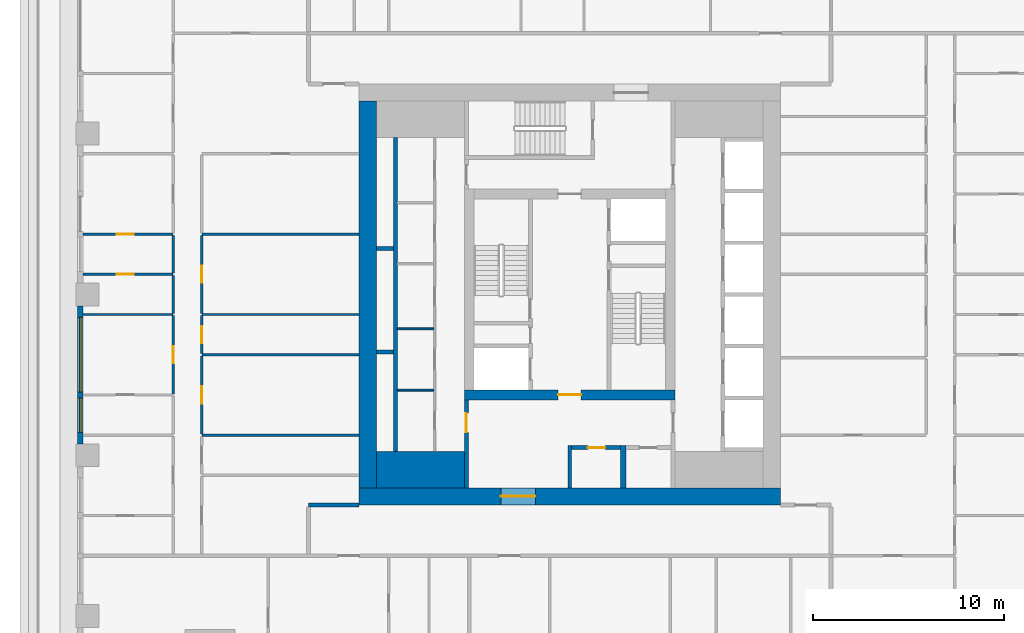
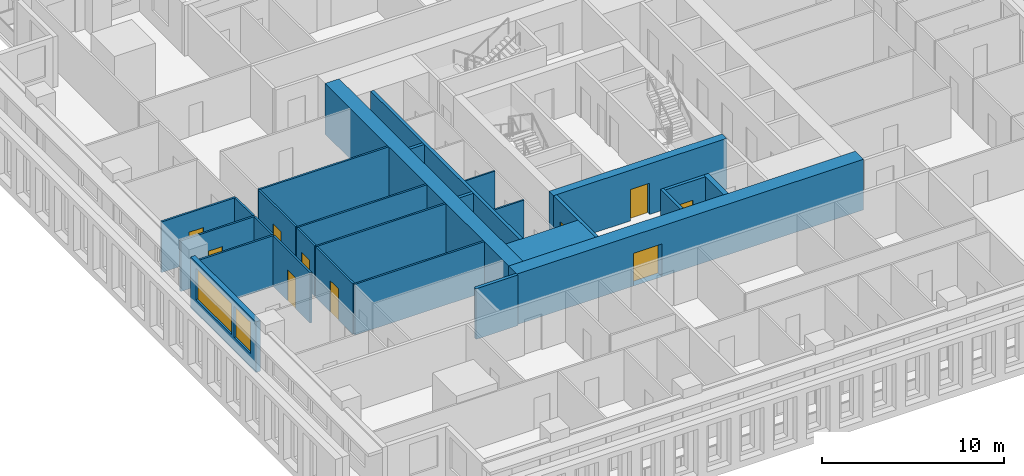
# One storey, part 3 of 16: 28 walls, 10 doors, 2 windows, 12 openings.
"""IFC4 building model written with IfcOpenShell, lengths in metres."""

from ifc_helpers import new_model, si_unit, direction, frame, frame_2d, origin, place, context, subcontext, project, spatial, rectangle, extrude, material, layer, layer_set, type_object, element, fill, save


model = new_model("IFC4")

# Units and contexts
model_context = context("Model", 3, precision=1e-05, world=origin(), true_north=direction((0.0, 1.0)))
body_context = subcontext(model_context, "Body", "Model", "MODEL_VIEW")
ifc_project = project(units=[si_unit("LENGTHUNIT", "METRE"), si_unit("AREAUNIT", "SQUARE_METRE"), si_unit("VOLUMEUNIT", "CUBIC_METRE"), si_unit("PLANEANGLEUNIT", "RADIAN"), si_unit("MASSUNIT", "GRAM", prefix="KILO")], contexts=[model_context])

# Site, building, storey
site_placement = place(None, origin())
site = spatial("IfcSite", under=ifc_project, at=site_placement, CompositionType="ELEMENT")
building_placement = place(site_placement, origin())
building = spatial("IfcBuilding", under=site, at=building_placement, Name="Khepri Terraces", CompositionType="ELEMENT")
storey_placement = place(building_placement, frame((0.0, 0.0, 176.699951171875)))
storey = spatial("IfcBuildingStorey", under=building, at=storey_placement, Name="L42", CompositionType="ELEMENT", Elevation=176.699951171875)

# Walls
ifc_material_1 = material(Name="Concrete C60/75", Category="concrete")
ifc_layer_1 = layer(ifc_material_1, 1.89990234375, Name="Concrete C60/75", Category="concrete")
ifc_layer_set_1 = layer_set([ifc_layer_1], Name="Concrete C60/75")
wall_type_1 = type_object("IfcWallType", Name="Core wall 1900 C60/75", PredefinedType="SHEAR", material=ifc_layer_set_1)
wall_1_placement = place(storey_placement, frame((-10.10009765625, -9.14990234375, 0.0), z_axis=(0.0, 0.0, 1.0), x_axis=(1.0, 0.0, 0.0)))
element("IfcWall", 1, at=wall_1_placement, inside=storey, type_object=wall_type_1, Name="Core wall PR01 L42", PredefinedType="SHEAR", context=body_context, shape_type="SweptSolid", body=[
    extrude(rectangle(XDim=4.60009765625, YDim=1.89990234375, at=frame_2d((2.300048828125, 0.0))), origin(), (0.0, 0.0, 1.0), 3.400146484375),
])
ifc_layer_2 = layer(ifc_material_1, 0.199951171875, Name="Concrete C60/75", Category="concrete")
ifc_layer_set_2 = layer_set([ifc_layer_2], Name="Concrete C60/75")
wall_type_2 = type_object("IfcWallType", Name="Core wall 200 C60/75", PredefinedType="SHEAR", material=ifc_layer_set_2)
wall_2_placement = place(storey_placement, frame((-9.10009765625, -8.199951171875, 0.0), z_axis=(0.0, 0.0, 1.0), x_axis=(0.0, 1.0, 0.0)))
element("IfcWall", 2, at=wall_2_placement, inside=storey, type_object=wall_type_2, Name="Core wall SH01 L42", PredefinedType="SHEAR", context=body_context, shape_type="SweptSolid", body=[
    extrude(rectangle(XDim=16.39990234375, YDim=0.199951171875, at=frame_2d((8.199951171875, 0.0))), origin(), (0.0, 0.0, 1.0), 3.400146484375),
])
for number, where, z_axis, x_axis, name in (
    (3, (-10.10009765625, -3.0, 0.0), (0.0, 0.0, 1.0), (1.0, 0.0, 0.0), "Core wall SH06 L42"),
    (4, (-10.10009765625, 2.39990234375, 0.0), (0.0, 0.0, 1.0), (1.0, 0.0, 0.0), "Core wall SH11 L42"),
):
    element("IfcWall", number, at=place(storey_placement, frame(where, z_axis=z_axis, x_axis=x_axis)), inside=storey, type_object=wall_type_2, Name=name, PredefinedType="SHEAR", context=body_context, shape_type="SweptSolid", body=[
        extrude(rectangle(XDim=0.900146484375, YDim=0.199951171875, at=frame_2d((0.4501953125, 0.0))), origin(), (0.0, 0.0, 1.0), 3.400146484375),
    ])

# Wall, opening, door
ifc_layer_3 = layer(ifc_material_1, 0.5, Name="Concrete C60/75", Category="concrete")
ifc_layer_set_3 = layer_set([ifc_layer_3], Name="Concrete C60/75")
wall_type_3 = type_object("IfcWallType", Name="Core wall 500 C60/75", PredefinedType="SHEAR", material=ifc_layer_set_3)
wall_3_placement = place(storey_placement, frame((-5.5, -5.25, 0.0), z_axis=(0.0, 0.0, 1.0), x_axis=(1.0, 0.0, 0.0)))
wall_3 = element("IfcWall", 5, at=wall_3_placement, inside=storey, type_object=wall_type_3, Name="Core wall BX01 L42", PredefinedType="SHEAR", context=body_context, shape_type="SweptSolid", body=[
    extrude(rectangle(XDim=11.0, YDim=0.5, at=frame_2d((5.5, 0.0))), origin(), (0.0, 0.0, 1.0), 3.400146484375),
])
opening_1_placement = place(wall_3_placement, frame((4.89990234375, 0.0, 0.0)))
opening_1 = element("IfcOpeningElement", 6, at=opening_1_placement, cuts=wall_3, Name="Opening L42-C14", PredefinedType="OPENING", context=body_context, shape_type="SweptSolid", body=[
    extrude(rectangle(XDim=1.199951171875, YDim=2.10009765625, at=frame_2d((0.60009765625, 1.050048828125))), frame((0.0, 0.260009765625, 0.0), z_axis=(0.0, -1.0, 0.0), x_axis=(1.0, 0.0, 0.0)), (0.0, 0.0, 1.0), 0.52001953125),
])
ifc_material_2 = material(Name="Painted steel", Category="steel")
door_type_1 = type_object("IfcDoorType", Name="DR-CORE-FF-LOBBY-1200", OperationType="NOTDEFINED", PredefinedType="DOOR", material=ifc_material_2)
door_1_placement = place(opening_1_placement, origin())
door_1 = element("IfcDoor", 7, at=door_1_placement, inside=storey, type_object=door_type_1, Name="Firefighting lobby door L42-C14", OperationType="SINGLE_SWING_RIGHT", OverallHeight=2.10009765625, OverallWidth=1.199951171875, PredefinedType="DOOR", context=body_context, shape_type="SweptSolid", body=[
    extrude(rectangle(XDim=1.199951171875, YDim=2.10009765625, at=frame_2d((0.60009765625, 1.050048828125))), frame((0.0, 0.02490234375, 0.0), z_axis=(0.0, -1.0, 0.0), x_axis=(1.0, 0.0, 0.0)), (0.0, 0.0, 1.0), 0.050048828125),
])
fill(opening_1, door_1)

ifc_layer_4 = layer(ifc_material_1, 0.89990234375, Name="Concrete C60/75", Category="concrete")
ifc_layer_set_4 = layer_set([ifc_layer_4], Name="Concrete C60/75")
wall_type_4 = type_object("IfcWallType", Name="Core wall 900 C60/75", PredefinedType="SHEAR", material=ifc_layer_set_4)
wall_4_placement = place(storey_placement, frame((-11.0, -10.550048828125, 0.0), z_axis=(0.0, 0.0, 1.0), x_axis=(1.0, 0.0, 0.0)))
wall_4 = element("IfcWall", 8, at=wall_4_placement, inside=storey, type_object=wall_type_4, Name="Core wall OW-S L42", PredefinedType="SHEAR", context=body_context, shape_type="SweptSolid", body=[
    extrude(rectangle(XDim=22.0, YDim=0.89990234375, at=frame_2d((11.0, 0.0))), origin(), (0.0, 0.0, 1.0), 3.400146484375),
])
opening_2_placement = place(wall_4_placement, frame((7.39990234375, 0.0, 0.0)))
opening_2 = element("IfcOpeningElement", 9, at=opening_2_placement, cuts=wall_4, Name="Opening L42-C21", PredefinedType="OPENING", context=body_context, shape_type="SweptSolid", body=[
    extrude(rectangle(XDim=1.800048828125, YDim=2.199951171875, at=frame_2d((0.89990234375, 1.10009765625))), frame((0.0, 0.4599609375, 0.0), z_axis=(0.0, -1.0, 0.0), x_axis=(1.0, 0.0, 0.0)), (0.0, 0.0, 1.0), 0.919921875),
])
door_type_2 = type_object("IfcDoorType", Name="DR-CORE-ENTRANCE-1800", OperationType="NOTDEFINED", PredefinedType="DOOR", material=ifc_material_2)
door_2_placement = place(opening_2_placement, frame((1.800048828125, 0.0, 0.0), z_axis=(0.0, 0.0, 1.0), x_axis=(-1.0, 0.0, 0.0)))
door_2 = element("IfcDoor", 10, at=door_2_placement, inside=storey, type_object=door_type_2, Name="Core entrance door pair L42-C21", OperationType="DOUBLE_DOOR_SINGLE_SWING", OverallHeight=2.199951171875, OverallWidth=1.800048828125, PredefinedType="DOOR", context=body_context, shape_type="SweptSolid", body=[
    extrude(rectangle(XDim=1.800048828125, YDim=2.199951171875, at=frame_2d((0.89990234375, 1.10009765625))), frame((0.0, 0.02490234375, 0.0), z_axis=(0.0, -1.0, 0.0), x_axis=(1.0, 0.0, 0.0)), (0.0, 0.0, 1.0), 0.050048828125),
])
fill(opening_2, door_2)

# Walls
wall_5_placement = place(storey_placement, frame((-10.550048828125, -10.10009765625, 0.0), z_axis=(0.0, 0.0, 1.0), x_axis=(0.0, 1.0, 0.0)))
element("IfcWall", 11, at=wall_5_placement, inside=storey, type_object=wall_type_4, Name="Core wall OW-W L42", PredefinedType="SHEAR", context=body_context, shape_type="SweptSolid", body=[
    extrude(rectangle(XDim=20.2001953125, YDim=0.89990234375, at=frame_2d((10.10009765625, 0.0))), origin(), (0.0, 0.0, 1.0), 3.400146484375),
])
ifc_material_3 = material(Name="Fire-rated gypsum board partition")
ifc_layer_5 = layer(ifc_material_3, 0.10009765625, Name="Fire-rated gypsum board partition")
ifc_layer_set_5 = layer_set([ifc_layer_5], Name="Fire-rated gypsum board partition")
wall_type_5 = type_object("IfcWallType", Name="WL-CORE-PART-100", PredefinedType="PARTITIONING", material=ifc_layer_set_5)
for number, where, z_axis, x_axis, name in (
    (12, (-9.0, -5.0, 0.0), (0.0, 0.0, 1.0), (1.0, 0.0, 0.0), "Core partition PT08 L42"),
    (13, (-9.0, -1.800048828125, 0.0), (0.0, 0.0, 1.0), (1.0, 0.0, 0.0), "Core partition PT09 L42"),
):
    element("IfcWall", number, at=place(storey_placement, frame(where, z_axis=z_axis, x_axis=x_axis)), inside=storey, type_object=wall_type_5, Name=name, PredefinedType="PARTITIONING", context=body_context, shape_type="SweptSolid", body=[
        extrude(rectangle(XDim=1.89990234375, YDim=0.10009765625, at=frame_2d((0.949951171875, 0.0))), origin(), (0.0, 0.0, 1.0), 3.400146484375),
    ])

# Wall, opening, door
ifc_layer_6 = layer(ifc_material_3, 0.199951171875, Name="Fire-rated gypsum board partition")
ifc_layer_set_6 = layer_set([ifc_layer_6], Name="Fire-rated gypsum board partition")
wall_type_6 = type_object("IfcWallType", Name="WL-CORE-PART-200", PredefinedType="PARTITIONING", material=ifc_layer_set_6)
wall_6_placement = place(storey_placement, frame((-5.39990234375, -10.10009765625, 0.0), z_axis=(0.0, 0.0, 1.0), x_axis=(0.0, 1.0, 0.0)))
wall_6 = element("IfcWall", 14, at=wall_6_placement, inside=storey, type_object=wall_type_6, Name="Core partition PT01 L42", PredefinedType="PARTITIONING", context=body_context, shape_type="SweptSolid", body=[
    extrude(rectangle(XDim=4.60009765625, YDim=0.199951171875, at=frame_2d((2.300048828125, 0.0))), origin(), (0.0, 0.0, 1.0), 3.400146484375),
])
opening_3_placement = place(wall_6_placement, frame((2.89990234375, 0.0, 0.0)))
opening_3 = element("IfcOpeningElement", 15, at=opening_3_placement, cuts=wall_6, Name="Opening L42-C18", PredefinedType="OPENING", context=body_context, shape_type="SweptSolid", body=[
    extrude(rectangle(XDim=1.0, YDim=2.10009765625, at=frame_2d((0.5, 1.050048828125))), frame((0.0, 0.10986328125, 0.0), z_axis=(0.0, -1.0, 0.0), x_axis=(1.0, 0.0, 0.0)), (0.0, 0.0, 1.0), 0.219970703125),
])
door_type_3 = type_object("IfcDoorType", Name="DR-CORE-LOBBY-1000", OperationType="NOTDEFINED", PredefinedType="DOOR", material=ifc_material_2)
door_3_placement = place(opening_3_placement, frame((1.0, 0.0, 0.0), z_axis=(0.0, 0.0, 1.0), x_axis=(-1.0, 0.0, 0.0)))
door_3 = element("IfcDoor", 16, at=door_3_placement, inside=storey, type_object=door_type_3, Name="Lobby door L42-C18", OperationType="SINGLE_SWING_LEFT", OverallHeight=2.10009765625, OverallWidth=1.0, PredefinedType="DOOR", context=body_context, shape_type="SweptSolid", body=[
    extrude(rectangle(XDim=1.0, YDim=2.10009765625, at=frame_2d((0.5, 1.050048828125))), frame((0.0, 0.02490234375, 0.0), z_axis=(0.0, -1.0, 0.0), x_axis=(1.0, 0.0, 0.0)), (0.0, 0.0, 1.0), 0.050048828125),
])
fill(opening_3, door_3)

# Wall
wall_7_placement = place(storey_placement, frame((0.0, -10.10009765625, 0.0), z_axis=(0.0, 0.0, 1.0), x_axis=(0.0, 1.0, 0.0)))
element("IfcWall", 17, at=wall_7_placement, inside=storey, type_object=wall_type_6, Name="Core partition PT02 L42", PredefinedType="PARTITIONING", context=body_context, shape_type="SweptSolid", body=[
    extrude(rectangle(XDim=2.2001953125, YDim=0.199951171875, at=frame_2d((1.10009765625, 0.0))), origin(), (0.0, 0.0, 1.0), 3.400146484375),
])

# Wall, opening, door
wall_8_placement = place(storey_placement, frame((0.10009765625, -8.0, 0.0), z_axis=(0.0, 0.0, 1.0), x_axis=(1.0, 0.0, 0.0)))
wall_8 = element("IfcWall", 18, at=wall_8_placement, inside=storey, type_object=wall_type_6, Name="Core partition PT06 L42", PredefinedType="PARTITIONING", context=body_context, shape_type="SweptSolid", body=[
    extrude(rectangle(XDim=2.5498046875, YDim=0.199951171875, at=frame_2d((1.27490234375, 0.0))), origin(), (0.0, 0.0, 1.0), 3.400146484375),
])
opening_4_placement = place(wall_8_placement, frame((0.85009765625, 0.0, 0.0)))
opening_4 = element("IfcOpeningElement", 19, at=opening_4_placement, cuts=wall_8, Name="Opening L42-C22", PredefinedType="OPENING", context=body_context, shape_type="SweptSolid", body=[
    extrude(rectangle(XDim=0.89990234375, YDim=2.10009765625, at=frame_2d((0.449951171875, 1.050048828125))), frame((0.0, 0.10986328125, 0.0), z_axis=(0.0, -1.0, 0.0), x_axis=(1.0, 0.0, 0.0)), (0.0, 0.0, 1.0), 0.219970703125),
])
door_type_4 = type_object("IfcDoorType", Name="DR-CORE-SERVICE-900", OperationType="NOTDEFINED", PredefinedType="DOOR", material=ifc_material_2)
door_4_placement = place(opening_4_placement, frame((0.89990234375, 0.0, 0.0), z_axis=(0.0, 0.0, 1.0), x_axis=(-1.0, 0.0, 0.0)))
door_4 = element("IfcDoor", 20, at=door_4_placement, inside=storey, type_object=door_type_4, Name="Service room door L42-C22", OperationType="SINGLE_SWING_LEFT", OverallHeight=2.10009765625, OverallWidth=0.89990234375, PredefinedType="DOOR", context=body_context, shape_type="SweptSolid", body=[
    extrude(rectangle(XDim=0.89990234375, YDim=2.10009765625, at=frame_2d((0.449951171875, 1.050048828125))), frame((0.0, 0.02490234375, 0.0), z_axis=(0.0, -1.0, 0.0), x_axis=(1.0, 0.0, 0.0)), (0.0, 0.0, 1.0), 0.050048828125),
])
fill(opening_4, door_4)

# Walls
ifc_layer_7 = layer(ifc_material_3, 0.300048828125, Name="Fire-rated gypsum board partition")
ifc_layer_set_7 = layer_set([ifc_layer_7], Name="Fire-rated gypsum board partition")
wall_type_7 = type_object("IfcWallType", Name="WL-CORE-PART-300", PredefinedType="PARTITIONING", material=ifc_layer_set_7)
wall_9_placement = place(storey_placement, frame((2.800048828125, -10.10009765625, 0.0), z_axis=(0.0, 0.0, 1.0), x_axis=(0.0, 1.0, 0.0)))
element("IfcWall", 21, at=wall_9_placement, inside=storey, type_object=wall_type_7, Name="Core partition PT03 L42", PredefinedType="PARTITIONING", context=body_context, shape_type="SweptSolid", body=[
    extrude(rectangle(XDim=2.2001953125, YDim=0.300048828125, at=frame_2d((1.10009765625, 0.0))), origin(), (0.0, 0.0, 1.0), 3.400146484375),
])
ifc_material_4 = material(Name="Fire-rated gypsum plasterboard partition, mineral wool")
ifc_layer_8 = layer(ifc_material_4, 0.199951171875, Name="Fire-rated gypsum plasterboard partition, mineral wool")
ifc_layer_set_8 = layer_set([ifc_layer_8], Name="Fire-rated gypsum plasterboard partition, mineral wool")
wall_type_8 = type_object("IfcWallType", Name="WL-CORR-200", PredefinedType="PARTITIONING", material=ifc_layer_set_8)
wall_10_placement = place(storey_placement, frame((-13.64990234375, -11.0, 0.0), z_axis=(0.0, 0.0, 1.0), x_axis=(1.0, 0.0, 0.0)))
element("IfcWall", 22, at=wall_10_placement, inside=storey, type_object=wall_type_8, Name="Partition P-034 L42", PredefinedType="PARTITIONING", context=body_context, shape_type="SweptSolid", body=[
    extrude(rectangle(XDim=2.64990234375, YDim=0.199951171875, at=frame_2d((1.324951171875, 0.0))), origin(), (0.0, 0.0, 1.0), 3.400146484375),
])

# Wall, openings, windows
ifc_material_5 = material(Name="Precast concrete C50/60 warm stone", Category="masonry")
ifc_layer_9 = layer(ifc_material_5, 0.300048828125, Name="Precast concrete C50/60 warm stone", Category="masonry")
ifc_layer_set_9 = layer_set([ifc_layer_9], Name="Precast concrete C50/60 warm stone")
wall_type_9 = type_object("IfcWallType", Name="WL-EXT-PRECAST-300", PredefinedType="STANDARD", material=ifc_layer_set_9)
wall_11_placement = place(storey_placement, frame((-25.570068359375, -0.60009765625, 0.0), z_axis=(0.0, 0.0, 1.0), x_axis=(0.0, -1.0, 0.0)))
wall_11 = element("IfcWall", 23, at=wall_11_placement, inside=storey, type_object=wall_type_9, Name="External wall L42 W", PredefinedType="STANDARD", context=body_context, shape_type="SweptSolid", body=[
    extrude(rectangle(XDim=7.199951171875, YDim=0.300048828125, at=frame_2d((3.60009765625, 0.0))), origin(), (0.0, 0.0, 1.0), 3.400146484375),
])
opening_5_placement = place(wall_11_placement, frame((0.60009765625, 0.0, 0.89990234375)))
opening_5 = element("IfcOpeningElement", 24, at=opening_5_placement, cuts=wall_11, Name="Opening W2", PredefinedType="OPENING", context=body_context, shape_type="SweptSolid", body=[
    extrude(rectangle(XDim=3.89990234375, YDim=2.10009765625, at=frame_2d((1.949951171875, 1.050048828125))), frame((0.0, 0.16015625, 0.0), z_axis=(0.0, -1.0, 0.0), x_axis=(1.0, 0.0, 0.0)), (0.0, 0.0, 1.0), 0.320068359375),
])
opening_6_placement = place(wall_11_placement, frame((4.800048828125, 0.0, 0.89990234375)))
opening_6 = element("IfcOpeningElement", 25, at=opening_6_placement, cuts=wall_11, Name="Opening W1", PredefinedType="OPENING", context=body_context, shape_type="SweptSolid", body=[
    extrude(rectangle(XDim=1.800048828125, YDim=2.10009765625, at=frame_2d((0.89990234375, 1.050048828125))), frame((0.0, 0.16015625, 0.0), z_axis=(0.0, -1.0, 0.0), x_axis=(1.0, 0.0, 0.0)), (0.0, 0.0, 1.0), 0.320068359375),
])
ifc_material_6 = material(Name="Clear glass", Category="glass")
window_type_1 = type_object("IfcWindowType", Name="WIN-RES-1800x2100", PartitioningType="SINGLE_PANEL", PredefinedType="WINDOW", material=ifc_material_6)
window_1_placement = place(opening_6_placement, origin())
window_1 = element("IfcWindow", 26, at=window_1_placement, inside=storey, type_object=window_type_1, Name="Window L42 W", OverallHeight=2.10009765625, OverallWidth=1.800048828125, PartitioningType="SINGLE_PANEL", PredefinedType="WINDOW", context=body_context, shape_type="SweptSolid", body=[
    extrude(rectangle(XDim=1.800048828125, YDim=2.10009765625, at=frame_2d((0.89990234375, 1.050048828125))), frame((0.0, 0.030029296875, 0.0), z_axis=(0.0, -1.0, 0.0), x_axis=(1.0, 0.0, 0.0)), (0.0, 0.0, 1.0), 0.06005859375),
])
fill(opening_6, window_1)
window_type_2 = type_object("IfcWindowType", Name="WIN-RES-3900x2100", PartitioningType="SINGLE_PANEL", PredefinedType="WINDOW", material=ifc_material_6)
window_2_placement = place(opening_5_placement, origin())
window_2 = element("IfcWindow", 27, at=window_2_placement, inside=storey, type_object=window_type_2, Name="Window L42 W", OverallHeight=2.10009765625, OverallWidth=3.89990234375, PartitioningType="SINGLE_PANEL", PredefinedType="WINDOW", context=body_context, shape_type="SweptSolid", body=[
    extrude(rectangle(XDim=3.89990234375, YDim=2.10009765625, at=frame_2d((1.949951171875, 1.050048828125))), frame((0.0, 0.030029296875, 0.0), z_axis=(0.0, -1.0, 0.0), x_axis=(1.0, 0.0, 0.0)), (0.0, 0.0, 1.0), 0.06005859375),
])
fill(opening_5, window_2)

# Wall
ifc_material_7 = material(Name="Gypsum plasterboard partition")
ifc_layer_10 = layer(ifc_material_7, 0.1201171875, Name="Gypsum plasterboard partition")
ifc_layer_set_10 = layer_set([ifc_layer_10], Name="Gypsum plasterboard partition")
wall_type_10 = type_object("IfcWallType", Name="WL-PART-120", PredefinedType="PARTITIONING", material=ifc_layer_set_10)
wall_12_placement = place(storey_placement, frame((-19.219970703125, -7.35009765625, 0.0), z_axis=(0.0, 0.0, 1.0), x_axis=(1.0, 0.0, 0.0)))
element("IfcWall", 28, at=wall_12_placement, inside=storey, type_object=wall_type_10, Name="Partition P-039 L42", PredefinedType="PARTITIONING", context=body_context, shape_type="SweptSolid", body=[
    extrude(rectangle(XDim=8.219970703125, YDim=0.1201171875, at=frame_2d((4.10986328125, 0.0))), origin(), (0.0, 0.0, 1.0), 3.400146484375),
])

# Wall, opening, door
wall_13_placement = place(storey_placement, frame((-19.219970703125, -7.2900390625, 0.0), z_axis=(0.0, 0.0, 1.0), x_axis=(0.0, 1.0, 0.0)))
wall_13 = element("IfcWall", 29, at=wall_13_placement, inside=storey, type_object=wall_type_10, Name="Partition P-043 L42", PredefinedType="PARTITIONING", context=body_context, shape_type="SweptSolid", body=[
    extrude(rectangle(XDim=4.080078125, YDim=0.1201171875, at=frame_2d((2.0400390625, 0.0))), origin(), (0.0, 0.0, 1.0), 3.400146484375),
])
opening_7_placement = place(wall_13_placement, frame((1.590087890625, 0.0, 0.0)))
opening_7 = element("IfcOpeningElement", 30, at=opening_7_placement, cuts=wall_13, Name="Opening D3", PredefinedType="OPENING", context=body_context, shape_type="SweptSolid", body=[
    extrude(rectangle(XDim=0.89990234375, YDim=2.10009765625, at=frame_2d((0.449951171875, 1.050048828125))), frame((0.0, 0.070068359375, 0.0), z_axis=(0.0, -1.0, 0.0), x_axis=(1.0, 0.0, 0.0)), (0.0, 0.0, 1.0), 0.14013671875),
])
ifc_material_8 = material(Name="Timber door leaf", Category="wood")
door_type_5 = type_object("IfcDoorType", Name="DR-INT-900", OperationType="NOTDEFINED", PredefinedType="DOOR", material=ifc_material_8)
door_5_placement = place(opening_7_placement, frame((0.89990234375, 0.0, 0.0), z_axis=(0.0, 0.0, 1.0), x_axis=(-1.0, 0.0, 0.0)))
door_5 = element("IfcDoor", 31, at=door_5_placement, inside=storey, type_object=door_type_5, Name="Door Utility Room", OperationType="SINGLE_SWING_LEFT", OverallHeight=2.10009765625, OverallWidth=0.89990234375, PredefinedType="DOOR", context=body_context, shape_type="SweptSolid", body=[
    extrude(rectangle(XDim=0.89990234375, YDim=2.10009765625, at=frame_2d((0.449951171875, 1.050048828125))), frame((0.0, 0.02490234375, 0.0), z_axis=(0.0, -1.0, 0.0), x_axis=(1.0, 0.0, 0.0)), (0.0, 0.0, 1.0), 0.050048828125),
])
fill(opening_7, door_5)

wall_14_placement = place(storey_placement, frame((-20.719970703125, -5.18994140625, 0.0), z_axis=(0.0, 0.0, 1.0), x_axis=(0.0, 1.0, 0.0)))
wall_14 = element("IfcWall", 32, at=wall_14_placement, inside=storey, type_object=wall_type_10, Name="Partition P-047 L42", PredefinedType="PARTITIONING", context=body_context, shape_type="SweptSolid", body=[
    extrude(rectangle(XDim=4.079833984375, YDim=0.1201171875, at=frame_2d((2.0400390625, 0.0))), origin(), (0.0, 0.0, 1.0), 3.400146484375),
])
opening_8_placement = place(wall_14_placement, frame((1.590087890625, 0.0, 0.0)))
opening_8 = element("IfcOpeningElement", 33, at=opening_8_placement, cuts=wall_14, Name="Opening D3", PredefinedType="OPENING", context=body_context, shape_type="SweptSolid", body=[
    extrude(rectangle(XDim=0.89990234375, YDim=2.10009765625, at=frame_2d((0.449951171875, 1.050048828125))), frame((0.0, 0.070068359375, 0.0), z_axis=(0.0, -1.0, 0.0), x_axis=(1.0, 0.0, 0.0)), (0.0, 0.0, 1.0), 0.14013671875),
])
door_6_placement = place(opening_8_placement, origin())
door_6 = element("IfcDoor", 34, at=door_6_placement, inside=storey, type_object=door_type_5, Name="Door Bedroom", OperationType="SINGLE_SWING_RIGHT", OverallHeight=2.10009765625, OverallWidth=0.89990234375, PredefinedType="DOOR", context=body_context, shape_type="SweptSolid", body=[
    extrude(rectangle(XDim=0.89990234375, YDim=2.10009765625, at=frame_2d((0.449951171875, 1.050048828125))), frame((0.0, 0.02490234375, 0.0), z_axis=(0.0, -1.0, 0.0), x_axis=(1.0, 0.0, 0.0)), (0.0, 0.0, 1.0), 0.050048828125),
])
fill(opening_8, door_6)

# Wall
wall_15_placement = place(storey_placement, frame((-19.219970703125, -3.14990234375, 0.0), z_axis=(0.0, 0.0, 1.0), x_axis=(1.0, 0.0, 0.0)))
element("IfcWall", 35, at=wall_15_placement, inside=storey, type_object=wall_type_10, Name="Partition P-050 L42", PredefinedType="PARTITIONING", context=body_context, shape_type="SweptSolid", body=[
    extrude(rectangle(XDim=8.219970703125, YDim=0.1201171875, at=frame_2d((4.10986328125, 0.0))), origin(), (0.0, 0.0, 1.0), 3.400146484375),
])

# Wall, opening, door
wall_16_placement = place(storey_placement, frame((-19.219970703125, -3.090087890625, 0.0), z_axis=(0.0, 0.0, 1.0), x_axis=(0.0, 1.0, 0.0)))
wall_16 = element("IfcWall", 36, at=wall_16_placement, inside=storey, type_object=wall_type_10, Name="Partition P-052 L42", PredefinedType="PARTITIONING", context=body_context, shape_type="SweptSolid", body=[
    extrude(rectangle(XDim=1.97998046875, YDim=0.1201171875, at=frame_2d((0.989990234375, 0.0))), origin(), (0.0, 0.0, 1.0), 3.400146484375),
])
opening_9_placement = place(wall_16_placement, frame((0.5400390625, 0.0, 0.0)))
opening_9 = element("IfcOpeningElement", 37, at=opening_9_placement, cuts=wall_16, Name="Opening D4", PredefinedType="OPENING", context=body_context, shape_type="SweptSolid", body=[
    extrude(rectangle(XDim=0.89990234375, YDim=2.10009765625, at=frame_2d((0.449951171875, 1.050048828125))), frame((0.0, 0.070068359375, 0.0), z_axis=(0.0, -1.0, 0.0), x_axis=(1.0, 0.0, 0.0)), (0.0, 0.0, 1.0), 0.14013671875),
])
ifc_material_9 = material(Name="Timber door leaf, moisture resistant", Category="wood")
door_type_6 = type_object("IfcDoorType", Name="DR-WET-900", OperationType="NOTDEFINED", PredefinedType="DOOR", material=ifc_material_9)
door_7_placement = place(opening_9_placement, frame((0.89990234375, 0.0, 0.0), z_axis=(0.0, 0.0, 1.0), x_axis=(-1.0, 0.0, 0.0)))
door_7 = element("IfcDoor", 38, at=door_7_placement, inside=storey, type_object=door_type_6, Name="Door Powder Room", OperationType="SINGLE_SWING_RIGHT", OverallHeight=2.10009765625, OverallWidth=0.89990234375, PredefinedType="DOOR", context=body_context, shape_type="SweptSolid", body=[
    extrude(rectangle(XDim=0.89990234375, YDim=2.10009765625, at=frame_2d((0.449951171875, 1.050048828125))), frame((0.0, 0.02490234375, 0.0), z_axis=(0.0, -1.0, 0.0), x_axis=(1.0, 0.0, 0.0)), (0.0, 0.0, 1.0), 0.050048828125),
])
fill(opening_9, door_7)

# Walls
wall_17_placement = place(storey_placement, frame((-25.419921875, -1.050048828125, 0.0), z_axis=(0.0, 0.0, 1.0), x_axis=(1.0, 0.0, 0.0)))
element("IfcWall", 39, at=wall_17_placement, inside=storey, type_object=wall_type_10, Name="Partition P-054 L42", PredefinedType="PARTITIONING", context=body_context, shape_type="SweptSolid", body=[
    extrude(rectangle(XDim=4.699951171875, YDim=0.1201171875, at=frame_2d((2.35009765625, 0.0))), origin(), (0.0, 0.0, 1.0), 3.400146484375),
])
wall_18_placement = place(storey_placement, frame((-19.219970703125, -1.050048828125, 0.0), z_axis=(0.0, 0.0, 1.0), x_axis=(1.0, 0.0, 0.0)))
element("IfcWall", 40, at=wall_18_placement, inside=storey, type_object=wall_type_10, Name="Partition P-055 L42", PredefinedType="PARTITIONING", context=body_context, shape_type="SweptSolid", body=[
    extrude(rectangle(XDim=8.219970703125, YDim=0.1201171875, at=frame_2d((4.10986328125, 0.0))), origin(), (0.0, 0.0, 1.0), 3.400146484375),
])
wall_19_placement = place(storey_placement, frame((-20.719970703125, -0.989990234375, 0.0), z_axis=(0.0, 0.0, 1.0), x_axis=(0.0, 1.0, 0.0)))
element("IfcWall", 41, at=wall_19_placement, inside=storey, type_object=wall_type_10, Name="Partition P-057 L42", PredefinedType="PARTITIONING", context=body_context, shape_type="SweptSolid", body=[
    extrude(rectangle(XDim=1.97998046875, YDim=0.1201171875, at=frame_2d((0.989990234375, 0.0))), origin(), (0.0, 0.0, 1.0), 3.400146484375),
])

# Wall, opening, door
wall_20_placement = place(storey_placement, frame((-19.219970703125, -0.989990234375, 0.0), z_axis=(0.0, 0.0, 1.0), x_axis=(0.0, 1.0, 0.0)))
wall_20 = element("IfcWall", 42, at=wall_20_placement, inside=storey, type_object=wall_type_10, Name="Partition P-058 L42", PredefinedType="PARTITIONING", context=body_context, shape_type="SweptSolid", body=[
    extrude(rectangle(XDim=4.080078125, YDim=0.1201171875, at=frame_2d((2.0400390625, 0.0))), origin(), (0.0, 0.0, 1.0), 3.400146484375),
])
opening_10_placement = place(wall_20_placement, frame((1.590087890625, 0.0, 0.0)))
opening_10 = element("IfcOpeningElement", 43, at=opening_10_placement, cuts=wall_20, Name="Opening D3", PredefinedType="OPENING", context=body_context, shape_type="SweptSolid", body=[
    extrude(rectangle(XDim=0.89990234375, YDim=2.10009765625, at=frame_2d((0.449951171875, 1.050048828125))), frame((0.0, 0.070068359375, 0.0), z_axis=(0.0, -1.0, 0.0), x_axis=(1.0, 0.0, 0.0)), (0.0, 0.0, 1.0), 0.14013671875),
])
door_8_placement = place(opening_10_placement, frame((0.89990234375, 0.0, 0.0), z_axis=(0.0, 0.0, 1.0), x_axis=(-1.0, 0.0, 0.0)))
door_8 = element("IfcDoor", 44, at=door_8_placement, inside=storey, type_object=door_type_5, Name="Door Service Store", OperationType="SINGLE_SWING_LEFT", OverallHeight=2.10009765625, OverallWidth=0.89990234375, PredefinedType="DOOR", context=body_context, shape_type="SweptSolid", body=[
    extrude(rectangle(XDim=0.89990234375, YDim=2.10009765625, at=frame_2d((0.449951171875, 1.050048828125))), frame((0.0, 0.02490234375, 0.0), z_axis=(0.0, -1.0, 0.0), x_axis=(1.0, 0.0, 0.0)), (0.0, 0.0, 1.0), 0.050048828125),
])
fill(opening_10, door_8)

wall_21_placement = place(storey_placement, frame((-25.419921875, 1.050048828125, 0.0), z_axis=(0.0, 0.0, 1.0), x_axis=(1.0, 0.0, 0.0)))
wall_21 = element("IfcWall", 45, at=wall_21_placement, inside=storey, type_object=wall_type_10, Name="Partition P-060 L42", PredefinedType="PARTITIONING", context=body_context, shape_type="SweptSolid", body=[
    extrude(rectangle(XDim=4.699951171875, YDim=0.1201171875, at=frame_2d((2.35009765625, 0.0))), origin(), (0.0, 0.0, 1.0), 3.400146484375),
])
opening_11_placement = place(wall_21_placement, frame((1.75, 0.0, 0.0)))
opening_11 = element("IfcOpeningElement", 46, at=opening_11_placement, cuts=wall_21, Name="Opening D4", PredefinedType="OPENING", context=body_context, shape_type="SweptSolid", body=[
    extrude(rectangle(XDim=0.89990234375, YDim=2.10009765625, at=frame_2d((0.449951171875, 1.050048828125))), frame((0.0, 0.070068359375, 0.0), z_axis=(0.0, -1.0, 0.0), x_axis=(1.0, 0.0, 0.0)), (0.0, 0.0, 1.0), 0.14013671875),
])
door_9_placement = place(opening_11_placement, frame((0.89990234375, 0.0, 0.0), z_axis=(0.0, 0.0, 1.0), x_axis=(-1.0, 0.0, 0.0)))
door_9 = element("IfcDoor", 47, at=door_9_placement, inside=storey, type_object=door_type_6, Name="Door Bathroom", OperationType="SINGLE_SWING_RIGHT", OverallHeight=2.10009765625, OverallWidth=0.89990234375, PredefinedType="DOOR", context=body_context, shape_type="SweptSolid", body=[
    extrude(rectangle(XDim=0.89990234375, YDim=2.10009765625, at=frame_2d((0.449951171875, 1.050048828125))), frame((0.0, 0.02490234375, 0.0), z_axis=(0.0, -1.0, 0.0), x_axis=(1.0, 0.0, 0.0)), (0.0, 0.0, 1.0), 0.050048828125),
])
fill(opening_11, door_9)

# Wall
wall_22_placement = place(storey_placement, frame((-20.719970703125, 1.110107421875, 0.0), z_axis=(0.0, 0.0, 1.0), x_axis=(0.0, 1.0, 0.0)))
element("IfcWall", 48, at=wall_22_placement, inside=storey, type_object=wall_type_10, Name="Partition P-063 L42", PredefinedType="PARTITIONING", context=body_context, shape_type="SweptSolid", body=[
    extrude(rectangle(XDim=1.97998046875, YDim=0.1201171875, at=frame_2d((0.989990234375, 0.0))), origin(), (0.0, 0.0, 1.0), 3.400146484375),
])

# Wall, opening, door
wall_23_placement = place(storey_placement, frame((-25.419921875, 3.14990234375, 0.0), z_axis=(0.0, 0.0, 1.0), x_axis=(1.0, 0.0, 0.0)))
wall_23 = element("IfcWall", 49, at=wall_23_placement, inside=storey, type_object=wall_type_10, Name="Partition P-066 L42", PredefinedType="PARTITIONING", context=body_context, shape_type="SweptSolid", body=[
    extrude(rectangle(XDim=4.699951171875, YDim=0.1201171875, at=frame_2d((2.35009765625, 0.0))), origin(), (0.0, 0.0, 1.0), 3.400146484375),
])
opening_12_placement = place(wall_23_placement, frame((1.75, 0.0, 0.0)))
opening_12 = element("IfcOpeningElement", 50, at=opening_12_placement, cuts=wall_23, Name="Opening D3", PredefinedType="OPENING", context=body_context, shape_type="SweptSolid", body=[
    extrude(rectangle(XDim=0.89990234375, YDim=2.10009765625, at=frame_2d((0.449951171875, 1.050048828125))), frame((0.0, 0.070068359375, 0.0), z_axis=(0.0, -1.0, 0.0), x_axis=(1.0, 0.0, 0.0)), (0.0, 0.0, 1.0), 0.14013671875),
])
door_10_placement = place(opening_12_placement, frame((0.89990234375, 0.0, 0.0), z_axis=(0.0, 0.0, 1.0), x_axis=(-1.0, 0.0, 0.0)))
door_10 = element("IfcDoor", 51, at=door_10_placement, inside=storey, type_object=door_type_5, Name="Door Dressing Room", OperationType="SINGLE_SWING_RIGHT", OverallHeight=2.10009765625, OverallWidth=0.89990234375, PredefinedType="DOOR", context=body_context, shape_type="SweptSolid", body=[
    extrude(rectangle(XDim=0.89990234375, YDim=2.10009765625, at=frame_2d((0.449951171875, 1.050048828125))), frame((0.0, 0.02490234375, 0.0), z_axis=(0.0, -1.0, 0.0), x_axis=(1.0, 0.0, 0.0)), (0.0, 0.0, 1.0), 0.050048828125),
])
fill(opening_12, door_10)

# Wall
wall_24_placement = place(storey_placement, frame((-19.219970703125, 3.14990234375, 0.0), z_axis=(0.0, 0.0, 1.0), x_axis=(1.0, 0.0, 0.0)))
element("IfcWall", 52, at=wall_24_placement, inside=storey, type_object=wall_type_10, Name="Partition P-067 L42", PredefinedType="PARTITIONING", context=body_context, shape_type="SweptSolid", body=[
    extrude(rectangle(XDim=8.219970703125, YDim=0.1201171875, at=frame_2d((4.10986328125, 0.0))), origin(), (0.0, 0.0, 1.0), 3.400146484375),
])

save(model, "model.ifc")
